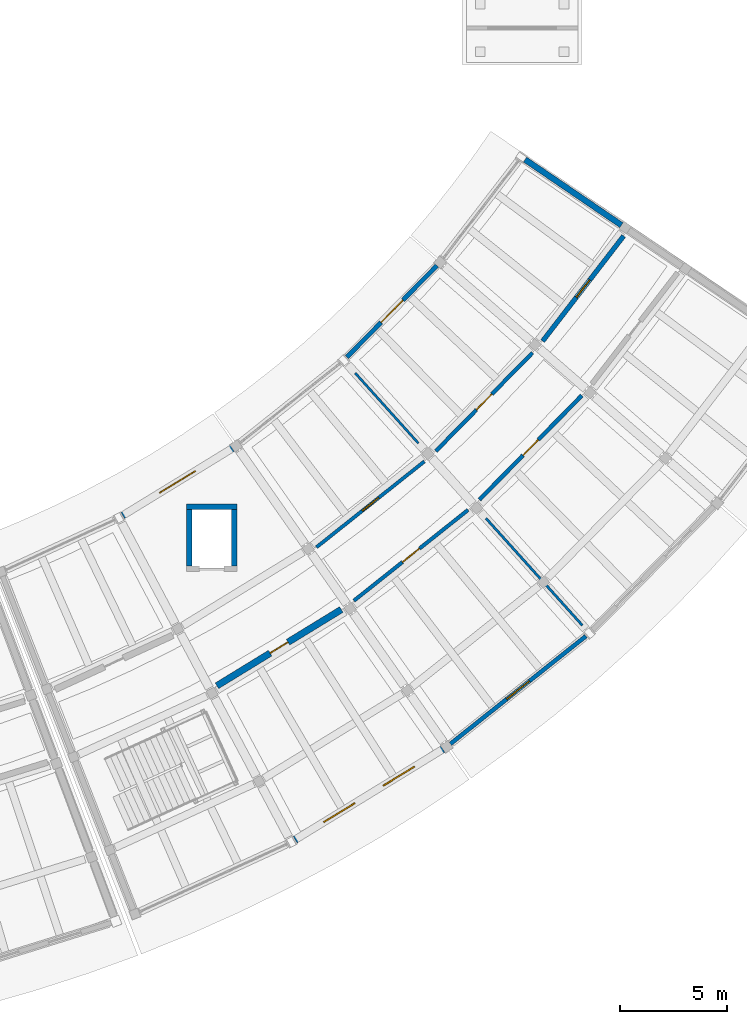
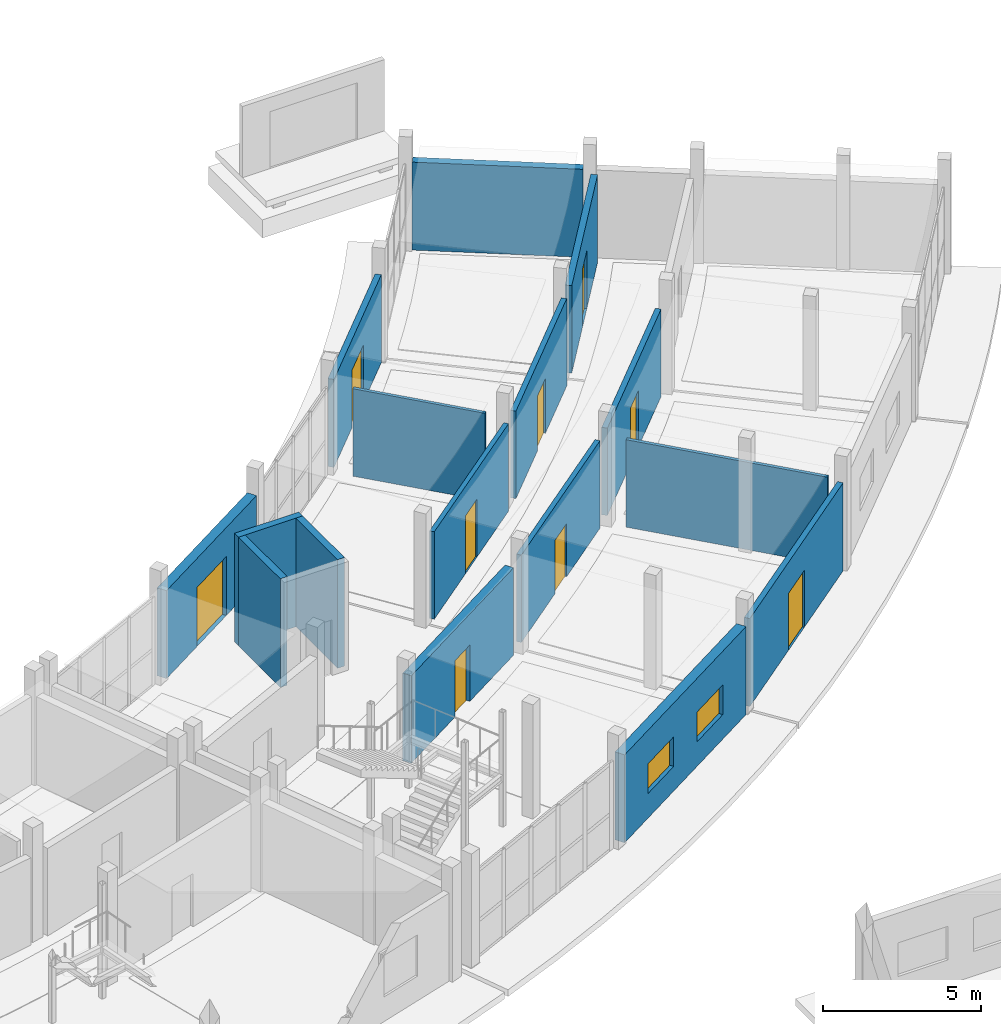
# One storey, part 70 of 92: 16 walls, 9 doors, 2 windows, 11 openings.
"""IFC4 building model written with IfcOpenShell, lengths in metres."""

from ifc_helpers import new_model, si_unit, direction, frame, frame_2d, origin, place, context, subcontext, project, spatial, rectangle, extrude, material, layer, layer_set, type_object, element, fill, save


model = new_model("IFC4")

# Units and contexts
model_context = context("Model", 3, precision=1e-05, world=origin(), true_north=direction((0.0, 1.0)))
body_context = subcontext(model_context, "Body", "Model", "MODEL_VIEW")
ifc_project = project(units=[si_unit("LENGTHUNIT", "METRE"), si_unit("AREAUNIT", "SQUARE_METRE"), si_unit("VOLUMEUNIT", "CUBIC_METRE"), si_unit("PLANEANGLEUNIT", "RADIAN"), si_unit("MASSUNIT", "GRAM", prefix="KILO")], contexts=[model_context])

# Site, building, storey
site_placement = place(None, origin())
site = spatial("IfcSite", under=ifc_project, at=site_placement, CompositionType="ELEMENT")
building_placement = place(site_placement, origin())
building = spatial("IfcBuilding", under=site, at=building_placement, Name="Caldaven Crescent School", CompositionType="ELEMENT")
storey_placement = place(building_placement, origin())
storey = spatial("IfcBuildingStorey", under=building, at=storey_placement, Name="L00", CompositionType="ELEMENT", Elevation=0.0)

# Walls
ifc_material_1 = material(Name="Concrete C35/45", Category="concrete")
ifc_layer_1 = layer(ifc_material_1, 0.300048828125)
ifc_layer_set_1 = layer_set([ifc_layer_1], Name="Concrete C35/45")
wall_type_1 = type_object("IfcWallType", Name="WAL-CW1", PredefinedType="SHEAR", material=ifc_layer_set_1)
wall_1_placement = place(storey_placement, frame((115.771484375, 50.213623046875, 0.0), z_axis=(0.0, 0.0, 1.0), x_axis=(1.0, 0.0, 0.0)))
element("IfcWall", 1, at=wall_1_placement, inside=storey, type_object=wall_type_1, Name="CW-LF6-L00-N", PredefinedType="SHEAR", context=body_context, shape_type="SweptSolid", body=[
    extrude(rectangle(XDim=2.349853515625, YDim=0.25, at=frame_2d((1.1748046875, 0.0))), origin(), (0.0, 0.0, 1.0), 4.199951171875),
])
ifc_layer_2 = layer(ifc_material_1, 0.25)
ifc_layer_set_2 = layer_set([ifc_layer_2], Name="Concrete C35/45")
wall_type_2 = type_object("IfcWallType", Name="WAL-CW2", PredefinedType="SHEAR", material=ifc_layer_set_2)
for number, where, z_axis, x_axis, name in (
    (2, (115.896484375, 47.438720703125, 0.0), (0.0, 0.0, 1.0), (0.0, 1.0, 0.0), "CW-LF6-L00-W"),
    (3, (117.996337890625, 47.438720703125, 0.0), (0.0, 0.0, 1.0), (0.0, 1.0, 0.0), "CW-LF6-L00-E"),
):
    element("IfcWall", number, at=place(storey_placement, frame(where, z_axis=z_axis, x_axis=x_axis)), inside=storey, type_object=wall_type_2, Name=name, PredefinedType="SHEAR", context=body_context, shape_type="SweptSolid", body=[
        extrude(rectangle(XDim=2.64990234375, YDim=0.25, at=frame_2d((1.324951171875, 0.0))), origin(), (0.0, 0.0, 1.0), 4.199951171875),
    ])

# Wall, opening, door
ifc_material_2 = material(Name="Precast concrete C35/45", Category="concrete")
ifc_layer_3 = layer(ifc_material_2, 0.19189453125)
ifc_layer_set_3 = layer_set([ifc_layer_3], Name="Precast concrete C35/45")
wall_type_3 = type_object("IfcWallType", Name="WAL-EW01", PredefinedType="STANDARD", material=ifc_layer_set_3)
wall_2_placement = place(storey_placement, frame((128.058837890625, 39.16064453125, 0.0), z_axis=(0.0, 0.0, 1.0), x_axis=(0.782619821953, 0.622499971314, 0.0)))
wall_2 = element("IfcWall", 4, at=wall_2_placement, inside=storey, type_object=wall_type_3, Name="EW-L00-112", PredefinedType="STANDARD", context=body_context, shape_type="SweptSolid", body=[
    extrude(rectangle(XDim=8.06591796875, YDim=0.19189453125, at=frame_2d((4.032958984375, 0.0))), origin(), (0.0, 0.0, 1.0), 3.39990234375),
])
opening_1_placement = place(wall_2_placement, frame((3.35791015625, 0.0, 0.0)))
opening_1 = element("IfcOpeningElement", 5, at=opening_1_placement, cuts=wall_2, Name="Opening D-L00-E028", PredefinedType="OPENING", context=body_context, shape_type="SweptSolid", body=[
    extrude(rectangle(XDim=1.35009765625, YDim=2.199951171875, at=frame_2d((0.675048828125, 1.10009765625))), frame((0.0, 0.10595703125, 0.0), z_axis=(0.0, -1.0, 0.0), x_axis=(1.0, 0.0, 0.0)), (0.0, 0.0, 1.0), 0.2119140625),
])
ifc_material_3 = material(Name="Thermally broken bronze-anodised aluminium and laminated safety glass", Category="aluminium")
door_type_1 = type_object("IfcDoorType", Name="DOR-EX06", OperationType="NOTDEFINED", PredefinedType="DOOR", material=ifc_material_3)
door_1_placement = place(opening_1_placement, frame((1.35009765625, 0.0, 0.0), z_axis=(0.0, 0.0, 1.0), x_axis=(-1.0, 0.0, 0.0)))
door_1 = element("IfcDoor", 6, at=door_1_placement, inside=storey, type_object=door_type_1, Name="DOR-EXT-L00-028", OperationType="DOUBLE_DOOR_SINGLE_SWING", OverallHeight=2.199951171875, OverallWidth=1.35009765625, PredefinedType="DOOR", context=body_context, shape_type="SweptSolid", body=[
    extrude(rectangle(XDim=1.35009765625, YDim=2.199951171875, at=frame_2d((0.675048828125, 1.10009765625))), frame((0.0, 0.02490234375, 0.0), z_axis=(0.0, -1.0, 0.0), x_axis=(1.0, 0.0, 0.0)), (0.0, 0.0, 1.0), 0.050048828125),
])
fill(opening_1, door_1)

ifc_layer_4 = layer(ifc_material_2, 0.2041015625)
ifc_layer_set_4 = layer_set([ifc_layer_4], Name="Precast concrete C35/45")
wall_type_4 = type_object("IfcWallType", Name="WAL-EW02", PredefinedType="STANDARD", material=ifc_layer_set_4)
wall_3_placement = place(storey_placement, frame((123.2451171875, 57.174072265625, 0.0), z_axis=(0.0, 0.0, 1.0), x_axis=(0.700933675957, 0.713226459064, 0.0)))
wall_3 = element("IfcWall", 7, at=wall_3_placement, inside=storey, type_object=wall_type_4, Name="EW-L00-113", PredefinedType="STANDARD", context=body_context, shape_type="SweptSolid", body=[
    extrude(rectangle(XDim=5.97802734375, YDim=0.2041015625, at=frame_2d((2.989013671875, 0.0))), origin(), (0.0, 0.0, 1.0), 3.39990234375),
])
opening_2_placement = place(wall_3_placement, frame((2.263916015625, 0.0, 0.0)))
opening_2 = element("IfcOpeningElement", 8, at=opening_2_placement, cuts=wall_3, Name="Opening D-L00-E029", PredefinedType="OPENING", context=body_context, shape_type="SweptSolid", body=[
    extrude(rectangle(XDim=1.449951171875, YDim=2.219970703125, at=frame_2d((0.72509765625, 1.10986328125))), frame((0.0, 0.112060546875, 0.0), z_axis=(0.0, -1.0, 0.0), x_axis=(1.0, 0.0, 0.0)), (0.0, 0.0, 1.0), 0.22412109375),
])
door_type_2 = type_object("IfcDoorType", Name="DOR-EX07", OperationType="NOTDEFINED", PredefinedType="DOOR", material=ifc_material_3)
door_2_placement = place(opening_2_placement, origin())
door_2 = element("IfcDoor", 9, at=door_2_placement, inside=storey, type_object=door_type_2, Name="DOR-EXT-L00-029", OperationType="DOUBLE_DOOR_SINGLE_SWING", OverallHeight=2.219970703125, OverallWidth=1.449951171875, PredefinedType="DOOR", context=body_context, shape_type="SweptSolid", body=[
    extrude(rectangle(XDim=1.449951171875, YDim=2.219970703125, at=frame_2d((0.72509765625, 1.10986328125))), frame((0.0, 0.02490234375, 0.0), z_axis=(0.0, -1.0, 0.0), x_axis=(1.0, 0.0, 0.0)), (0.0, 0.0, 1.0), 0.050048828125),
])
fill(opening_2, door_2)

# Wall
ifc_layer_5 = layer(ifc_material_2, 0.27587890625)
ifc_layer_set_5 = layer_set([ifc_layer_5], Name="Precast concrete C35/45")
wall_type_5 = type_object("IfcWallType", Name="WAL-EW08", PredefinedType="STANDARD", material=ifc_layer_set_5)
wall_4_placement = place(storey_placement, frame((131.53857421875, 66.37255859375, 0.0), z_axis=(0.0, 0.0, 1.0), x_axis=(0.826728872558, -0.562600543262, 0.0)))
element("IfcWall", 10, at=wall_4_placement, inside=storey, type_object=wall_type_5, Name="EW-L00-119", PredefinedType="STANDARD", context=body_context, shape_type="SweptSolid", body=[
    extrude(rectangle(XDim=5.423828125, YDim=0.27587890625, at=frame_2d((2.7119140625, 0.0))), origin(), (0.0, 0.0, 1.0), 3.39990234375),
])

# Wall, opening, door
ifc_layer_6 = layer(ifc_material_2, 0.3359375)
ifc_layer_set_6 = layer_set([ifc_layer_6], Name="Precast concrete C35/45")
wall_type_6 = type_object("IfcWallType", Name="WAL-EW13", PredefinedType="STANDARD", material=ifc_layer_set_6)
wall_5_placement = place(storey_placement, frame((112.805419921875, 49.80078125, 0.0), z_axis=(0.0, 0.0, 1.0), x_axis=(0.852659356221, 0.522467245145, 0.0)))
wall_5 = element("IfcWall", 11, at=wall_5_placement, inside=storey, type_object=wall_type_6, Name="EW-L00-110", PredefinedType="STANDARD", context=body_context, shape_type="SweptSolid", body=[
    extrude(rectangle(XDim=5.97802734375, YDim=0.3359375, at=frame_2d((2.989013671875, 0.0))), origin(), (0.0, 0.0, 1.0), 3.39990234375),
])
opening_3_placement = place(wall_5_placement, frame((2.013916015625, 0.0, 0.0)))
opening_3 = element("IfcOpeningElement", 12, at=opening_3_placement, cuts=wall_5, Name="Opening D-L00-E027", PredefinedType="OPENING", context=body_context, shape_type="SweptSolid", body=[
    extrude(rectangle(XDim=1.949951171875, YDim=2.280029296875, at=frame_2d((0.97509765625, 1.14013671875))), frame((0.0, 0.177978515625, 0.0), z_axis=(0.0, -1.0, 0.0), x_axis=(1.0, 0.0, 0.0)), (0.0, 0.0, 1.0), 0.35595703125),
])
door_type_3 = type_object("IfcDoorType", Name="DOR-EX12", OperationType="NOTDEFINED", PredefinedType="DOOR", material=ifc_material_3)
door_3_placement = place(opening_3_placement, origin())
door_3 = element("IfcDoor", 13, at=door_3_placement, inside=storey, type_object=door_type_3, Name="DOR-EXT-L00-027", OperationType="DOUBLE_DOOR_SINGLE_SWING", OverallHeight=2.280029296875, OverallWidth=1.949951171875, PredefinedType="DOOR", context=body_context, shape_type="SweptSolid", body=[
    extrude(rectangle(XDim=1.949951171875, YDim=2.280029296875, at=frame_2d((0.97509765625, 1.14013671875))), frame((0.0, 0.02490234375, 0.0), z_axis=(0.0, -1.0, 0.0), x_axis=(1.0, 0.0, 0.0)), (0.0, 0.0, 1.0), 0.050048828125),
])
fill(opening_3, door_3)

# Wall, openings, windows
ifc_layer_7 = layer(ifc_material_2, 0.347900390625)
ifc_layer_set_7 = layer_set([ifc_layer_7], Name="Precast concrete C35/45")
wall_type_7 = type_object("IfcWallType", Name="WAL-EW14", PredefinedType="STANDARD", material=ifc_layer_set_7)
wall_6_placement = place(storey_placement, frame((120.833251953125, 34.702392578125, 0.0), z_axis=(0.0, 0.0, 1.0), x_axis=(0.852648230689, 0.522485401425, 0.0)))
wall_6 = element("IfcWall", 14, at=wall_6_placement, inside=storey, type_object=wall_type_7, Name="EW-L00-111", PredefinedType="STANDARD", context=body_context, shape_type="SweptSolid", body=[
    extrude(rectangle(XDim=8.06591796875, YDim=0.347900390625, at=frame_2d((4.032958984375, 0.0))), origin(), (0.0, 0.0, 1.0), 3.39990234375),
])
opening_4_placement = place(wall_6_placement, frame((1.555419921875, 0.0, 0.949951171875)))
opening_4 = element("IfcOpeningElement", 15, at=opening_4_placement, cuts=wall_6, Name="Opening W21", PredefinedType="OPENING", context=body_context, shape_type="SweptSolid", body=[
    extrude(rectangle(XDim=1.699951171875, YDim=1.14990234375, at=frame_2d((0.85009765625, 0.574951171875))), frame((0.0, 0.183837890625, 0.0), z_axis=(0.0, -1.0, 0.0), x_axis=(1.0, 0.0, 0.0)), (0.0, 0.0, 1.0), 0.367919921875),
])
opening_5_placement = place(wall_6_placement, frame((4.810546875, 0.0, 0.949951171875)))
opening_5 = element("IfcOpeningElement", 16, at=opening_5_placement, cuts=wall_6, Name="Opening W21", PredefinedType="OPENING", context=body_context, shape_type="SweptSolid", body=[
    extrude(rectangle(XDim=1.699951171875, YDim=1.14990234375, at=frame_2d((0.85009765625, 0.574951171875))), frame((0.0, 0.183837890625, 0.0), z_axis=(0.0, -1.0, 0.0), x_axis=(1.0, 0.0, 0.0)), (0.0, 0.0, 1.0), 0.367919921875),
])
ifc_material_4 = material(Name="Thermally broken anodised aluminium AA 6063-T6 and low-E double glazing", Category="aluminium")
window_type = type_object("IfcWindowType", Name="WIN-W21", PartitioningType="SINGLE_PANEL", PredefinedType="WINDOW", material=ifc_material_4)
window_1_placement = place(opening_4_placement, origin())
window_1 = element("IfcWindow", 17, at=window_1_placement, inside=storey, type_object=window_type, Name="WIN-L00-068-1", OverallHeight=1.14990234375, OverallWidth=1.699951171875, PartitioningType="SINGLE_PANEL", PredefinedType="WINDOW", context=body_context, shape_type="SweptSolid", body=[
    extrude(rectangle(XDim=1.699951171875, YDim=1.14990234375, at=frame_2d((0.85009765625, 0.574951171875))), frame((0.0, 0.030029296875, 0.0), z_axis=(0.0, -1.0, 0.0), x_axis=(1.0, 0.0, 0.0)), (0.0, 0.0, 1.0), 0.06005859375),
])
fill(opening_4, window_1)
window_2_placement = place(opening_5_placement, origin())
window_2 = element("IfcWindow", 18, at=window_2_placement, inside=storey, type_object=window_type, Name="WIN-L00-068-2", OverallHeight=1.14990234375, OverallWidth=1.699951171875, PartitioningType="SINGLE_PANEL", PredefinedType="WINDOW", context=body_context, shape_type="SweptSolid", body=[
    extrude(rectangle(XDim=1.699951171875, YDim=1.14990234375, at=frame_2d((0.85009765625, 0.574951171875))), frame((0.0, 0.030029296875, 0.0), z_axis=(0.0, -1.0, 0.0), x_axis=(1.0, 0.0, 0.0)), (0.0, 0.0, 1.0), 0.06005859375),
])
fill(opening_5, window_2)

# Wall, opening, door
ifc_material_5 = material(Name="Acoustic timber-stud and fire-rated gypsum board assembly", Category="wood")
ifc_layer_8 = layer(ifc_material_5, 0.159912109375)
ifc_layer_set_8 = layer_set([ifc_layer_8], Name="Acoustic timber-stud and fire-rated gypsum board assembly")
wall_type_8 = type_object("IfcWallType", Name="WAL-IW01", PredefinedType="STANDARD", material=ifc_layer_set_8)
wall_7_placement = place(storey_placement, frame((121.824462890625, 48.320068359375, 0.0), z_axis=(0.0, 0.0, 1.0), x_axis=(0.782605685559, 0.622517743467, 0.0)))
wall_7 = element("IfcWall", 19, at=wall_7_placement, inside=storey, type_object=wall_type_8, Name="IW-L00-0192", PredefinedType="STANDARD", context=body_context, shape_type="SweptSolid", body=[
    extrude(rectangle(XDim=6.42041015625, YDim=0.159912109375, at=frame_2d((3.210205078125, 0.0))), origin(), (0.0, 0.0, 1.0), 3.3798828125),
])
opening_6_placement = place(wall_7_placement, frame((2.72021484375, 0.0, 0.0)))
opening_6 = element("IfcOpeningElement", 20, at=opening_6_placement, cuts=wall_7, Name="Opening D-L00-I135", PredefinedType="OPENING", context=body_context, shape_type="SweptSolid", body=[
    extrude(rectangle(XDim=0.97998046875, YDim=2.239990234375, at=frame_2d((0.489990234375, 1.1201171875))), frame((0.0, 0.08984375, 0.0), z_axis=(0.0, -1.0, 0.0), x_axis=(1.0, 0.0, 0.0)), (0.0, 0.0, 1.0), 0.179931640625),
])
ifc_material_6 = material(Name="Solid-core Pino Radiata acoustic timber leaf in steel frame", Category="steel")
door_type_4 = type_object("IfcDoorType", Name="DOR-ID16", OperationType="NOTDEFINED", PredefinedType="DOOR", material=ifc_material_6)
door_4_placement = place(opening_6_placement, frame((0.97998046875, 0.0, 0.0), z_axis=(0.0, 0.0, 1.0), x_axis=(-1.0, 0.0, 0.0)))
door_4 = element("IfcDoor", 21, at=door_4_placement, inside=storey, type_object=door_type_4, Name="DOR-INT-L00-0135", OperationType="SINGLE_SWING_RIGHT", OverallHeight=2.239990234375, OverallWidth=0.97998046875, PredefinedType="DOOR", context=body_context, shape_type="SweptSolid", body=[
    extrude(rectangle(XDim=0.97998046875, YDim=2.239990234375, at=frame_2d((0.489990234375, 1.1201171875))), frame((0.0, 0.02490234375, 0.0), z_axis=(0.0, -1.0, 0.0), x_axis=(1.0, 0.0, 0.0)), (0.0, 0.0, 1.0), 0.050048828125),
])
fill(opening_6, door_4)

ifc_layer_9 = layer(ifc_material_5, 0.169921875)
ifc_layer_set_9 = layer_set([ifc_layer_9], Name="Acoustic timber-stud and fire-rated gypsum board assembly")
wall_type_9 = type_object("IfcWallType", Name="WAL-IW02", PredefinedType="STANDARD", material=ifc_layer_set_9)
wall_8_placement = place(storey_placement, frame((123.568115234375, 45.829833984375, 0.0), z_axis=(0.0, 0.0, 1.0), x_axis=(0.782615780998, 0.622505051653, 0.0)))
wall_8 = element("IfcWall", 22, at=wall_8_placement, inside=storey, type_object=wall_type_9, Name="IW-L00-0193", PredefinedType="STANDARD", context=body_context, shape_type="SweptSolid", body=[
    extrude(rectangle(XDim=6.79150390625, YDim=0.169921875, at=frame_2d((3.395751953125, 0.0))), origin(), (0.0, 0.0, 1.0), 3.3798828125),
])
opening_7_placement = place(wall_8_placement, frame((2.8857421875, 0.0, 0.0)))
opening_7 = element("IfcOpeningElement", 23, at=opening_7_placement, cuts=wall_8, Name="Opening D-L00-I136", PredefinedType="OPENING", context=body_context, shape_type="SweptSolid", body=[
    extrude(rectangle(XDim=1.02001953125, YDim=2.06005859375, at=frame_2d((0.510009765625, 1.030029296875))), frame((0.0, 0.094970703125, 0.0), z_axis=(0.0, -1.0, 0.0), x_axis=(1.0, 0.0, 0.0)), (0.0, 0.0, 1.0), 0.18994140625),
])
door_type_5 = type_object("IfcDoorType", Name="DOR-ID17", OperationType="NOTDEFINED", PredefinedType="DOOR", material=ifc_material_6)
door_5_placement = place(opening_7_placement, origin())
door_5 = element("IfcDoor", 24, at=door_5_placement, inside=storey, type_object=door_type_5, Name="DOR-INT-L00-0136", OperationType="SINGLE_SWING_LEFT", OverallHeight=2.06005859375, OverallWidth=1.02001953125, PredefinedType="DOOR", context=body_context, shape_type="SweptSolid", body=[
    extrude(rectangle(XDim=1.02001953125, YDim=2.06005859375, at=frame_2d((0.510009765625, 1.030029296875))), frame((0.0, 0.02490234375, 0.0), z_axis=(0.0, -1.0, 0.0), x_axis=(1.0, 0.0, 0.0)), (0.0, 0.0, 1.0), 0.050048828125),
])
fill(opening_7, door_5)

ifc_layer_10 = layer(ifc_material_5, 0.179931640625)
ifc_layer_set_10 = layer_set([ifc_layer_10], Name="Acoustic timber-stud and fire-rated gypsum board assembly")
wall_type_10 = type_object("IfcWallType", Name="WAL-IW03", PredefinedType="STANDARD", material=ifc_layer_set_10)
wall_9_placement = place(storey_placement, frame((127.383056640625, 52.797607421875, 0.0), z_axis=(0.0, 0.0, 1.0), x_axis=(0.700900509406, 0.713259052459, 0.0)))
wall_9 = element("IfcWall", 25, at=wall_9_placement, inside=storey, type_object=wall_type_10, Name="IW-L00-0194", PredefinedType="STANDARD", context=body_context, shape_type="SweptSolid", body=[
    extrude(rectangle(XDim=6.42041015625, YDim=0.179931640625, at=frame_2d((3.210205078125, 0.0))), origin(), (0.0, 0.0, 1.0), 3.3798828125),
])
opening_8_placement = place(wall_9_placement, frame((2.7001953125, 0.0, 0.0)))
opening_8 = element("IfcOpeningElement", 26, at=opening_8_placement, cuts=wall_9, Name="Opening D-L00-I137", PredefinedType="OPENING", context=body_context, shape_type="SweptSolid", body=[
    extrude(rectangle(XDim=1.02001953125, YDim=2.1201171875, at=frame_2d((0.510009765625, 1.06005859375))), frame((0.0, 0.099853515625, 0.0), z_axis=(0.0, -1.0, 0.0), x_axis=(1.0, 0.0, 0.0)), (0.0, 0.0, 1.0), 0.199951171875),
])
door_type_6 = type_object("IfcDoorType", Name="DOR-ID18", OperationType="NOTDEFINED", PredefinedType="DOOR", material=ifc_material_6)
door_6_placement = place(opening_8_placement, frame((1.02001953125, 0.0, 0.0), z_axis=(0.0, 0.0, 1.0), x_axis=(-1.0, 0.0, 0.0)))
door_6 = element("IfcDoor", 27, at=door_6_placement, inside=storey, type_object=door_type_6, Name="DOR-INT-L00-0137", OperationType="SINGLE_SWING_RIGHT", OverallHeight=2.1201171875, OverallWidth=1.02001953125, PredefinedType="DOOR", context=body_context, shape_type="SweptSolid", body=[
    extrude(rectangle(XDim=1.02001953125, YDim=2.1201171875, at=frame_2d((0.510009765625, 1.06005859375))), frame((0.0, 0.02490234375, 0.0), z_axis=(0.0, -1.0, 0.0), x_axis=(1.0, 0.0, 0.0)), (0.0, 0.0, 1.0), 0.050048828125),
])
fill(opening_8, door_6)

ifc_layer_11 = layer(ifc_material_5, 0.18994140625)
ifc_layer_set_11 = layer_set([ifc_layer_11], Name="Acoustic timber-stud and fire-rated gypsum board assembly")
wall_type_11 = type_object("IfcWallType", Name="WAL-IW04", PredefinedType="STANDARD", material=ifc_layer_set_11)
wall_10_placement = place(storey_placement, frame((129.417236328125, 50.53857421875, 0.0), z_axis=(0.0, 0.0, 1.0), x_axis=(0.700914816473, 0.713244993006, 0.0)))
wall_10 = element("IfcWall", 28, at=wall_10_placement, inside=storey, type_object=wall_type_11, Name="IW-L00-0195", PredefinedType="STANDARD", context=body_context, shape_type="SweptSolid", body=[
    extrude(rectangle(XDim=6.79150390625, YDim=0.18994140625, at=frame_2d((3.395751953125, 0.0))), origin(), (0.0, 0.0, 1.0), 3.3798828125),
])
opening_9_placement = place(wall_10_placement, frame((2.8857421875, 0.0, 0.0)))
opening_9 = element("IfcOpeningElement", 29, at=opening_9_placement, cuts=wall_10, Name="Opening D-L00-I138", PredefinedType="OPENING", context=body_context, shape_type="SweptSolid", body=[
    extrude(rectangle(XDim=1.02001953125, YDim=2.179931640625, at=frame_2d((0.510009765625, 1.08984375))), frame((0.0, 0.10498046875, 0.0), z_axis=(0.0, -1.0, 0.0), x_axis=(1.0, 0.0, 0.0)), (0.0, 0.0, 1.0), 0.2099609375),
])
door_type_7 = type_object("IfcDoorType", Name="DOR-ID19", OperationType="NOTDEFINED", PredefinedType="DOOR", material=ifc_material_6)
door_7_placement = place(opening_9_placement, origin())
door_7 = element("IfcDoor", 30, at=door_7_placement, inside=storey, type_object=door_type_7, Name="DOR-INT-L00-0138", OperationType="SINGLE_SWING_LEFT", OverallHeight=2.179931640625, OverallWidth=1.02001953125, PredefinedType="DOOR", context=body_context, shape_type="SweptSolid", body=[
    extrude(rectangle(XDim=1.02001953125, YDim=2.179931640625, at=frame_2d((0.510009765625, 1.08984375))), frame((0.0, 0.02490234375, 0.0), z_axis=(0.0, -1.0, 0.0), x_axis=(1.0, 0.0, 0.0)), (0.0, 0.0, 1.0), 0.050048828125),
])
fill(opening_9, door_7)

ifc_layer_12 = layer(ifc_material_5, 0.219970703125)
ifc_layer_set_12 = layer_set([ifc_layer_12], Name="Acoustic timber-stud and fire-rated gypsum board assembly")
wall_type_12 = type_object("IfcWallType", Name="WAL-IW07", PredefinedType="STANDARD", material=ifc_layer_set_12)
wall_11_placement = place(storey_placement, frame((132.355224609375, 57.9189453125, 0.0), z_axis=(0.0, 0.0, 1.0), x_axis=(0.610376740954, 0.79211125109, 0.0)))
wall_11 = element("IfcWall", 31, at=wall_11_placement, inside=storey, type_object=wall_type_12, Name="IW-L00-0198", PredefinedType="STANDARD", context=body_context, shape_type="SweptSolid", body=[
    extrude(rectangle(XDim=6.180908203125, YDim=0.219970703125, at=frame_2d((3.09033203125, 0.0))), origin(), (0.0, 0.0, 1.0), 3.3798828125),
])
opening_10_placement = place(wall_11_placement, frame((2.58056640625, 0.0, 0.0)))
opening_10 = element("IfcOpeningElement", 32, at=opening_10_placement, cuts=wall_11, Name="Opening D-L00-I139", PredefinedType="OPENING", context=body_context, shape_type="SweptSolid", body=[
    extrude(rectangle(XDim=1.02001953125, YDim=2.239990234375, at=frame_2d((0.510009765625, 1.1201171875))), frame((0.0, 0.119873046875, 0.0), z_axis=(0.0, -1.0, 0.0), x_axis=(1.0, 0.0, 0.0)), (0.0, 0.0, 1.0), 0.239990234375),
])
door_type_8 = type_object("IfcDoorType", Name="DOR-ID20", OperationType="NOTDEFINED", PredefinedType="DOOR", material=ifc_material_6)
door_8_placement = place(opening_10_placement, frame((1.02001953125, 0.0, 0.0), z_axis=(0.0, 0.0, 1.0), x_axis=(-1.0, 0.0, 0.0)))
door_8 = element("IfcDoor", 33, at=door_8_placement, inside=storey, type_object=door_type_8, Name="DOR-INT-L00-0139", OperationType="SINGLE_SWING_RIGHT", OverallHeight=2.239990234375, OverallWidth=1.02001953125, PredefinedType="DOOR", context=body_context, shape_type="SweptSolid", body=[
    extrude(rectangle(XDim=1.02001953125, YDim=2.239990234375, at=frame_2d((0.510009765625, 1.1201171875))), frame((0.0, 0.02490234375, 0.0), z_axis=(0.0, -1.0, 0.0), x_axis=(1.0, 0.0, 0.0)), (0.0, 0.0, 1.0), 0.050048828125),
])
fill(opening_10, door_8)

ifc_material_7 = material(Name="Autoclaved aerated concrete block masonry G5", Category="masonry")
ifc_layer_13 = layer(ifc_material_7, 0.31005859375)
ifc_layer_set_13 = layer_set([ifc_layer_13], Name="Autoclaved aerated concrete block masonry G5")
wall_type_13 = type_object("IfcWallType", Name="WAL-IW16", PredefinedType="STANDARD", material=ifc_layer_set_13)
wall_12_placement = place(storey_placement, frame((117.188720703125, 41.869140625, 0.0), z_axis=(0.0, 0.0, 1.0), x_axis=(0.852640514979, 0.522497992547, 0.0)))
wall_12 = element("IfcWall", 34, at=wall_12_placement, inside=storey, type_object=wall_type_13, Name="IW-L00-0191", PredefinedType="STANDARD", context=body_context, shape_type="SweptSolid", body=[
    extrude(rectangle(XDim=6.79150390625, YDim=0.31005859375, at=frame_2d((3.395751953125, 0.0))), origin(), (0.0, 0.0, 1.0), 3.3798828125),
])
opening_11_placement = place(wall_12_placement, frame((2.90576171875, 0.0, 0.0)))
opening_11 = element("IfcOpeningElement", 35, at=opening_11_placement, cuts=wall_12, Name="Opening D-L00-I134", PredefinedType="OPENING", context=body_context, shape_type="SweptSolid", body=[
    extrude(rectangle(XDim=0.97998046875, YDim=2.179931640625, at=frame_2d((0.489990234375, 1.08984375))), frame((0.0, 0.1650390625, 0.0), z_axis=(0.0, -1.0, 0.0), x_axis=(1.0, 0.0, 0.0)), (0.0, 0.0, 1.0), 0.330078125),
])
door_type_9 = type_object("IfcDoorType", Name="DOR-ID15", OperationType="NOTDEFINED", PredefinedType="DOOR", material=ifc_material_6)
door_9_placement = place(opening_11_placement, origin())
door_9 = element("IfcDoor", 36, at=door_9_placement, inside=storey, type_object=door_type_9, Name="DOR-INT-L00-0134", OperationType="SINGLE_SWING_LEFT", OverallHeight=2.179931640625, OverallWidth=0.97998046875, PredefinedType="DOOR", context=body_context, shape_type="SweptSolid", body=[
    extrude(rectangle(XDim=0.97998046875, YDim=2.179931640625, at=frame_2d((0.489990234375, 1.08984375))), frame((0.0, 0.02490234375, 0.0), z_axis=(0.0, -1.0, 0.0), x_axis=(1.0, 0.0, 0.0)), (0.0, 0.0, 1.0), 0.050048828125),
])
fill(opening_11, door_9)

# Walls
ifc_material_8 = material(Name="Acoustic double-layer gypsum partition on galvanised steel studs", Category="steel")
ifc_layer_14 = layer(ifc_material_8, 0.110107421875)
ifc_layer_set_14 = layer_set([ifc_layer_14], Name="Acoustic double-layer gypsum partition on galvanised steel studs")
wall_type_14 = type_object("IfcWallType", Name="WAL-PT05", PredefinedType="PARTITIONING", material=ifc_layer_set_14)
wall_13_placement = place(storey_placement, frame((123.631103515625, 56.427490234375, 0.0), z_axis=(0.0, 0.0, 1.0), x_axis=(0.669157836149, -0.743120306761, 0.0)))
element("IfcWall", 37, at=wall_13_placement, inside=storey, type_object=wall_type_14, Name="IW-L00-0196", PredefinedType="PARTITIONING", context=body_context, shape_type="SweptSolid", body=[
    extrude(rectangle(XDim=4.400146484375, YDim=0.110107421875, at=frame_2d((2.2001953125, 0.0))), origin(), (0.0, 0.0, 1.0), 3.3798828125),
])
ifc_layer_15 = layer(ifc_material_8, 0.115966796875)
ifc_layer_set_15 = layer_set([ifc_layer_15], Name="Acoustic double-layer gypsum partition on galvanised steel studs")
wall_type_15 = type_object("IfcWallType", Name="WAL-PT06", PredefinedType="PARTITIONING", material=ifc_layer_set_15)
wall_14_placement = place(storey_placement, frame((129.72021484375, 49.6650390625, 0.0), z_axis=(0.0, 0.0, 1.0), x_axis=(0.669115705072, -0.743158242386, 0.0)))
element("IfcWall", 38, at=wall_14_placement, inside=storey, type_object=wall_type_15, Name="IW-L00-0197", PredefinedType="PARTITIONING", context=body_context, shape_type="SweptSolid", body=[
    extrude(rectangle(XDim=6.7001953125, YDim=0.115966796875, at=frame_2d((3.35009765625, 0.0))), origin(), (0.0, 0.0, 1.0), 3.3798828125),
])

save(model, "model.ifc")
